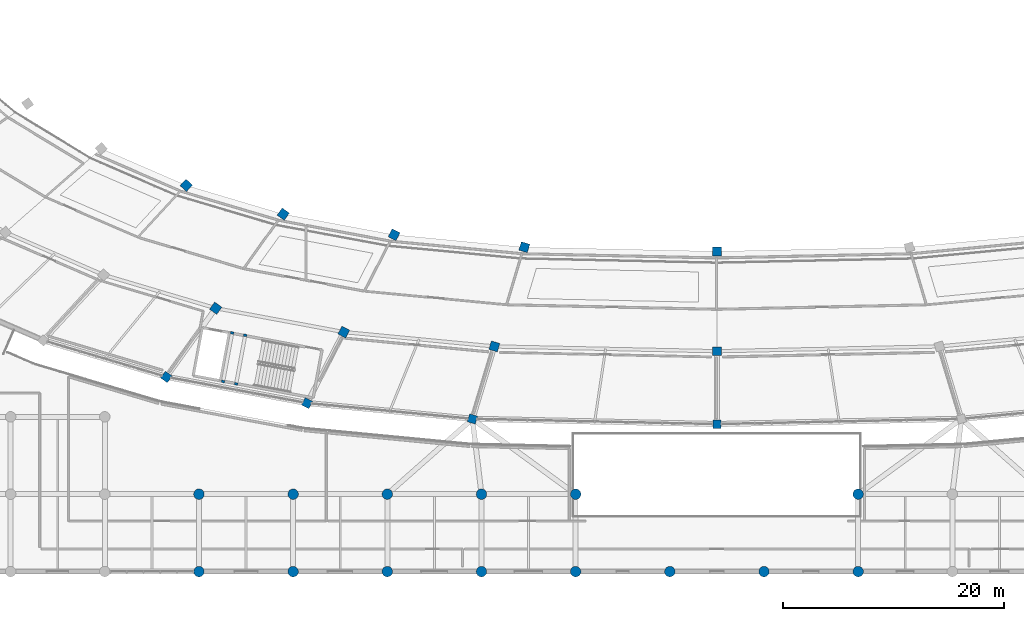
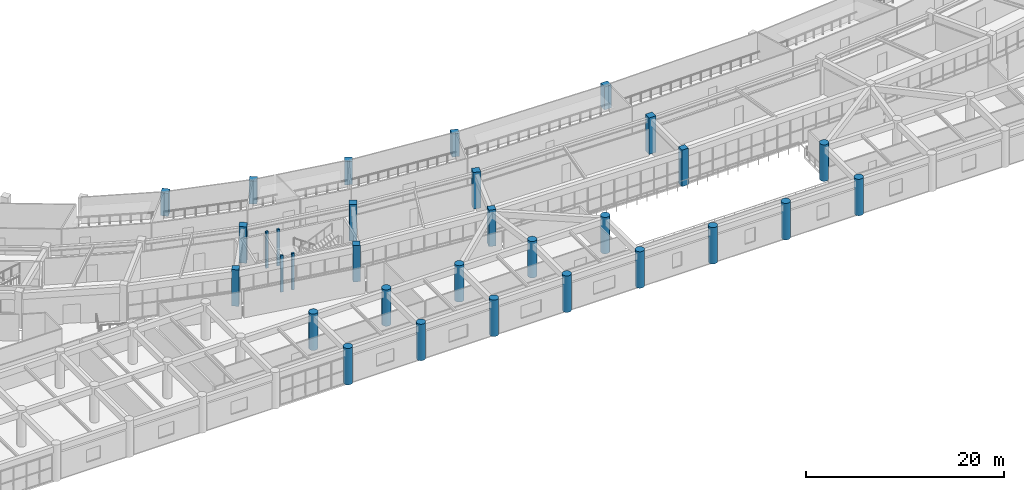
# One storey, part 2 of 141: 31 columns.
"""IFC4 building model written with IfcOpenShell, lengths in metres."""

from ifc_helpers import new_model, si_unit, direction, frame, origin, origin_2d, place, context, subcontext, project, spatial, rectangle, circle, extrude, material, material_profile, profile_set, type_object, element, save


model = new_model("IFC4")

# Units and contexts
model_context = context("Model", 3, precision=1e-05, world=origin(), true_north=direction((0.0, 1.0)))
body_context = subcontext(model_context, "Body", "Model", "MODEL_VIEW")
ifc_project = project(units=[si_unit("LENGTHUNIT", "METRE"), si_unit("AREAUNIT", "SQUARE_METRE"), si_unit("VOLUMEUNIT", "CUBIC_METRE"), si_unit("PLANEANGLEUNIT", "RADIAN"), si_unit("MASSUNIT", "GRAM", prefix="KILO")], contexts=[model_context])

# Site, building, storey
site_placement = place(None, origin())
site = spatial("IfcSite", under=ifc_project, at=site_placement, CompositionType="ELEMENT")
building_placement = place(site_placement, origin())
building = spatial("IfcBuilding", under=site, at=building_placement, Name="Mphavela Belvedere Stadium", CompositionType="ELEMENT")
storey_placement = place(building_placement, frame((0.0, 0.0, 14.699951171875)))
storey = spatial("IfcBuildingStorey", under=building, at=storey_placement, Name="L03", CompositionType="ELEMENT", Elevation=14.699951171875)

# Columns
ifc_material_1 = material(Name="Concrete C40/50", Category="concrete")
ifc_material_profile_1 = material_profile(ifc_material_1, rectangle(XDim=0.300048828125, YDim=0.219970703125, at=origin_2d()), Name="RC 300x220")
ifc_profile_set_1 = profile_set([ifc_material_profile_1], Name="Concrete C40/50")
column_type_1 = type_object("IfcColumnType", Name="COL-CORE-POST-300", PredefinedType="COLUMN", material=ifc_profile_set_1)
for number, where, z_axis, x_axis, name in (
    (1, (72.329833984375, 21.36865234375, 0.0), (0.0, 0.0, 1.0), (-0.983095502692, 0.183093507769, 0.0), "Core C11 stair frame column L03-1"),
    (2, (71.150146484375, 21.58837890625, 0.0), (0.0, 0.0, 1.0), (-0.983095502692, 0.183093507769, 0.0), "Core C11 stair frame column L03-2"),
    (3, (70.331787109375, 17.19384765625, 0.0), (0.0, 0.0, 1.0), (-0.983095502692, 0.183093507769, 0.0), "Core C11 stair frame column L03-3"),
    (4, (71.511474609375, 16.97412109375, 0.0), (0.0, 0.0, 1.0), (-0.983095502692, 0.183093507769, 0.0), "Core C11 stair frame column L03-4"),
):
    element("IfcColumn", number, at=place(storey_placement, frame(where, z_axis=z_axis, x_axis=x_axis)), inside=storey, type_object=column_type_1, Name=name, PredefinedType="COLUMN", context=body_context, shape_type="SweptSolid", body=[
        extrude(rectangle(XDim=0.300048828125, YDim=0.219970703125, at=origin_2d()), origin(), (0.0, 0.0, 1.0), 4.5),
    ])
ifc_material_2 = material(Name="Concrete C40/50", Category="concrete")
ifc_material_profile_2 = material_profile(ifc_material_2, circle(Radius=0.47509765625, at=origin_2d()), Name="COL D950")
ifc_profile_set_2 = profile_set([ifc_material_profile_2], Name="Concrete C40/50")
column_type_2 = type_object("IfcColumnType", Name="COL-DORIC-950", PredefinedType="COLUMN", material=ifc_profile_set_2)
for number, where, z_axis, x_axis, name in (
    (5, (68.14794921875, 0.0, 0.0), (0.0, 0.0, 1.0), (1.0, 0.0, 0.0), "South Axial Triumphal Peristyle Portico classical column L03 9-1"),
    (6, (68.14794921875, 7.0, 0.0), (0.0, 0.0, 1.0), (1.0, 0.0, 0.0), "South Axial Triumphal Peristyle Portico classical column L03 9-2"),
    (7, (76.6669921875, 0.0, 0.0), (0.0, 0.0, 1.0), (1.0, 0.0, 0.0), "South Axial Triumphal Peristyle Portico classical column L03 10-1"),
    (8, (76.6669921875, 7.0, 0.0), (0.0, 0.0, 1.0), (1.0, 0.0, 0.0), "South Axial Triumphal Peristyle Portico classical column L03 10-2"),
    (9, (85.18505859375, 0.0, 0.0), (0.0, 0.0, 1.0), (1.0, 0.0, 0.0), "South Axial Triumphal Peristyle Portico classical column L03 11-1"),
    (10, (85.18505859375, 7.0, 0.0), (0.0, 0.0, 1.0), (1.0, 0.0, 0.0), "South Axial Triumphal Peristyle Portico classical column L03 11-2"),
    (11, (93.7041015625, 0.0, 0.0), (0.0, 0.0, 1.0), (1.0, 0.0, 0.0), "South Axial Triumphal Peristyle Portico classical column L03 12-1"),
    (12, (93.7041015625, 7.0, 0.0), (0.0, 0.0, 1.0), (1.0, 0.0, 0.0), "South Axial Triumphal Peristyle Portico classical column L03 12-2"),
    (13, (102.221923828125, 0.0, 0.0), (0.0, 0.0, 1.0), (1.0, 0.0, 0.0), "South Axial Triumphal Peristyle Portico classical column L03 13-1"),
    (14, (102.221923828125, 7.0, 0.0), (0.0, 0.0, 1.0), (1.0, 0.0, 0.0), "South Axial Triumphal Peristyle Portico classical column L03 13-2"),
    (15, (110.740966796875, 0.0, 0.0), (0.0, 0.0, 1.0), (1.0, 0.0, 0.0), "South Axial Triumphal Peristyle Portico classical column L03 14-1"),
    (16, (119.259033203125, 0.0, 0.0), (0.0, 0.0, 1.0), (1.0, 0.0, 0.0), "South Axial Triumphal Peristyle Portico classical column L03 15-1"),
    (17, (127.778076171875, 0.0, 0.0), (0.0, 0.0, 1.0), (1.0, 0.0, 0.0), "South Axial Triumphal Peristyle Portico classical column L03 16-1"),
    (18, (127.778076171875, 7.0, 0.0), (0.0, 0.0, 1.0), (1.0, 0.0, 0.0), "South Axial Triumphal Peristyle Portico classical column L03 16-2"),
):
    element("IfcColumn", number, at=place(storey_placement, frame(where, z_axis=z_axis, x_axis=x_axis)), inside=storey, type_object=column_type_2, Name=name, PredefinedType="COLUMN", context=body_context, shape_type="SweptSolid", body=[
        extrude(circle(Radius=0.47509765625, at=origin_2d()), origin(), (0.0, 0.0, 1.0), 4.5),
    ])
ifc_material_3 = material(Name="Concrete C40/50", Category="concrete")
ifc_material_profile_3 = material_profile(ifc_material_3, rectangle(XDim=0.75, YDim=0.75, at=origin_2d()), Name="RC 750x750")
ifc_profile_set_3 = profile_set([ifc_material_profile_3], Name="Concrete C40/50")
column_type_3 = type_object("IfcColumnType", Name="COL-RC750", PredefinedType="COLUMN", material=ifc_profile_set_3)
for number, where, z_axis, x_axis, name in (
    (19, (65.19873046875, 17.60302734375, 0.0), (0.0, 0.0, 1.0), (-0.582974127943, -0.812490717577, 0.0), "Outer colonnade column L03 R4-34"),
    (20, (77.92724609375, 15.232666015625, 0.0), (0.0, 0.0, 1.0), (-0.458959712465, -0.888457079624, 0.0), "Outer colonnade column L03 R4-35"),
    (21, (92.885498046875, 13.80615234375, 0.0), (0.0, 0.0, 1.0), (-0.289198876314, -0.957269037387, 0.0), "Outer colonnade column L03 R4-36"),
    (22, (115.0, 13.330078125, 0.0), (0.0, 0.0, 1.0), (0.0, -1.0, 0.0), "Outer colonnade column L03 R4-37"),
):
    element("IfcColumn", number, at=place(storey_placement, frame(where, z_axis=z_axis, x_axis=x_axis)), inside=storey, type_object=column_type_3, Name=name, PredefinedType="COLUMN", context=body_context, shape_type="SweptSolid", body=[
        extrude(rectangle(XDim=0.75, YDim=0.75, at=origin_2d()), origin(), (0.0, 0.0, 1.0), 4.5),
    ])
ifc_material_4 = material(Name="Concrete C40/50", Category="concrete")
ifc_material_profile_4 = material_profile(ifc_material_4, rectangle(XDim=0.800048828125, YDim=0.800048828125, at=origin_2d()), Name="RC 800x800")
ifc_profile_set_4 = profile_set([ifc_material_profile_4], Name="Concrete C40/50")
column_type_4 = type_object("IfcColumnType", Name="COL-RC800", PredefinedType="COLUMN", material=ifc_profile_set_4)
for number, where, z_axis, x_axis, name in (
    (23, (66.997314453125, 34.9375, 0.0), (0.0, 0.0, 1.0), (-0.677903094969, -0.735151272753, 0.0), "Upper raker support column L03 R2-33"),
    (24, (75.769775390625, 32.33349609375, 0.0), (0.0, 0.0, 1.0), (-0.582974127943, -0.812490717577, 0.0), "Upper raker support column L03 R2-34"),
):
    element("IfcColumn", number, at=place(storey_placement, frame(where, z_axis=z_axis, x_axis=x_axis)), inside=storey, type_object=column_type_4, Name=name, PredefinedType="COLUMN", context=body_context, shape_type="SweptSolid", body=[
        extrude(rectangle(XDim=0.800048828125, YDim=0.800048828125, at=origin_2d()), origin(), (0.0, 0.0, 1.0), 2.85009765625),
    ])
column_1_placement = place(storey_placement, frame((69.662109375, 23.822509765625, 0.0), z_axis=(0.0, 0.0, 1.0), x_axis=(-0.582974127943, -0.812490717577, 0.0)))
element("IfcColumn", 25, at=column_1_placement, inside=storey, type_object=column_type_4, Name="Main bowl column L03 R3-34", PredefinedType="COLUMN", context=body_context, shape_type="SweptSolid", body=[
    extrude(rectangle(XDim=0.800048828125, YDim=0.800048828125, at=origin_2d()), origin(), (0.0, 0.0, 1.0), 4.5),
])
column_2_placement = place(storey_placement, frame((85.79638671875, 30.46630859375, 0.0), z_axis=(0.0, 0.0, 1.0), x_axis=(-0.458959712465, -0.888457079624, 0.0)))
element("IfcColumn", 26, at=column_2_placement, inside=storey, type_object=column_type_4, Name="Upper raker support column L03 R2-35", PredefinedType="COLUMN", context=body_context, shape_type="SweptSolid", body=[
    extrude(rectangle(XDim=0.800048828125, YDim=0.800048828125, at=origin_2d()), origin(), (0.0, 0.0, 1.0), 2.85009765625),
])
column_3_placement = place(storey_placement, frame((81.249755859375, 21.66455078125, 0.0), z_axis=(0.0, 0.0, 1.0), x_axis=(-0.458959712465, -0.888457079624, 0.0)))
element("IfcColumn", 27, at=column_3_placement, inside=storey, type_object=column_type_4, Name="Main bowl column L03 R3-35", PredefinedType="COLUMN", context=body_context, shape_type="SweptSolid", body=[
    extrude(rectangle(XDim=0.800048828125, YDim=0.800048828125, at=origin_2d()), origin(), (0.0, 0.0, 1.0), 4.5),
])
column_4_placement = place(storey_placement, frame((97.57958984375, 29.342529296875, 0.0), z_axis=(0.0, 0.0, 1.0), x_axis=(-0.289198876314, -0.957269037387, 0.0)))
element("IfcColumn", 28, at=column_4_placement, inside=storey, type_object=column_type_4, Name="Upper raker support column L03 R2-36", PredefinedType="COLUMN", context=body_context, shape_type="SweptSolid", body=[
    extrude(rectangle(XDim=0.800048828125, YDim=0.800048828125, at=origin_2d()), origin(), (0.0, 0.0, 1.0), 2.85009765625),
])
column_5_placement = place(storey_placement, frame((94.8671875, 20.365966796875, 0.0), z_axis=(0.0, 0.0, 1.0), x_axis=(-0.289198876314, -0.957269037387, 0.0)))
element("IfcColumn", 29, at=column_5_placement, inside=storey, type_object=column_type_4, Name="Main bowl column L03 R3-36", PredefinedType="COLUMN", context=body_context, shape_type="SweptSolid", body=[
    extrude(rectangle(XDim=0.800048828125, YDim=0.800048828125, at=origin_2d()), origin(), (0.0, 0.0, 1.0), 4.5),
])
column_6_placement = place(storey_placement, frame((115.0, 28.967529296875, 0.0), z_axis=(0.0, 0.0, 1.0), x_axis=(0.0, -1.0, 0.0)))
element("IfcColumn", 30, at=column_6_placement, inside=storey, type_object=column_type_4, Name="Upper raker support column L03 R2-37", PredefinedType="COLUMN", context=body_context, shape_type="SweptSolid", body=[
    extrude(rectangle(XDim=0.800048828125, YDim=0.800048828125, at=origin_2d()), origin(), (0.0, 0.0, 1.0), 2.85009765625),
])
column_7_placement = place(storey_placement, frame((115.0, 19.9326171875, 0.0), z_axis=(0.0, 0.0, 1.0), x_axis=(0.0, -1.0, 0.0)))
element("IfcColumn", 31, at=column_7_placement, inside=storey, type_object=column_type_4, Name="Main bowl column L03 R3-37", PredefinedType="COLUMN", context=body_context, shape_type="SweptSolid", body=[
    extrude(rectangle(XDim=0.800048828125, YDim=0.800048828125, at=origin_2d()), origin(), (0.0, 0.0, 1.0), 4.5),
])

save(model, "model.ifc")
